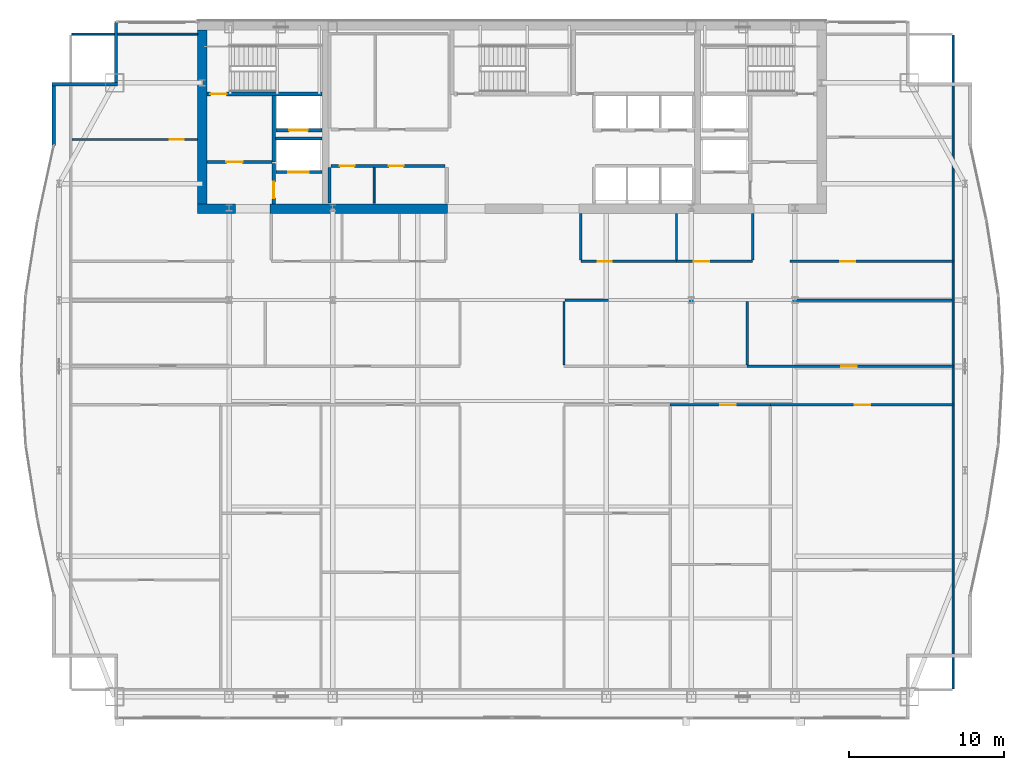
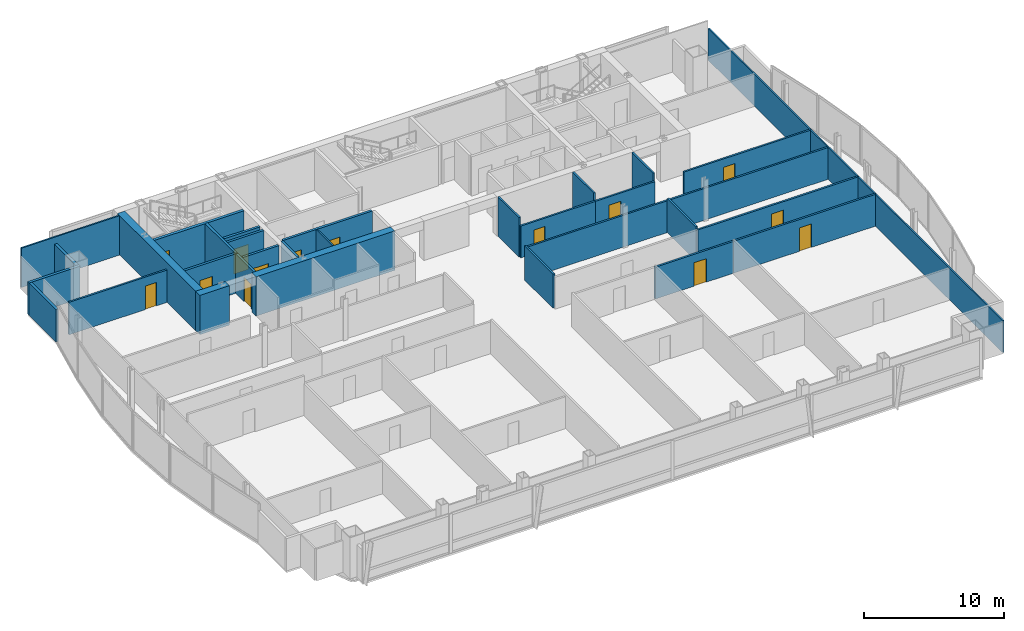
# One storey, part 26 of 30: 31 walls, 14 doors, 14 openings.
"""IFC4 building model written with IfcOpenShell, lengths in metres."""

from ifc_helpers import new_model, si_unit, direction, frame, frame_2d, origin, place, context, subcontext, project, spatial, rectangle, extrude, material, layer, layer_set, type_object, element, fill, save


model = new_model("IFC4")

# Units and contexts
model_context = context("Model", 3, precision=1e-05, world=origin(), true_north=direction((0.0, 1.0)))
body_context = subcontext(model_context, "Body", "Model", "MODEL_VIEW")
ifc_project = project(units=[si_unit("LENGTHUNIT", "METRE"), si_unit("AREAUNIT", "SQUARE_METRE"), si_unit("VOLUMEUNIT", "CUBIC_METRE"), si_unit("PLANEANGLEUNIT", "RADIAN"), si_unit("MASSUNIT", "GRAM", prefix="KILO")], contexts=[model_context])

# Site, building, storey
site_placement = place(None, origin())
site = spatial("IfcSite", under=ifc_project, at=site_placement, CompositionType="ELEMENT")
building_placement = place(site_placement, origin())
building = spatial("IfcBuilding", under=site, at=building_placement, Name="Khoronbel Lancet Exchange", CompositionType="ELEMENT")
storey_placement = place(building_placement, frame((0.0, 0.0, 217.39990234375)))
storey = spatial("IfcBuildingStorey", under=building, at=storey_placement, Name="L55", CompositionType="ELEMENT", Elevation=217.39990234375)

# Walls
ifc_material_1 = material(Name="Concrete C60/75", Category="concrete")
ifc_layer_1 = layer(ifc_material_1, 0.60009765625, Name="Concrete C60/75")
ifc_layer_set_1 = layer_set([ifc_layer_1], Name="Concrete C60/75")
wall_type_1 = type_object("IfcWallType", Name="WL-CW3", PredefinedType="SHEAR", material=ifc_layer_set_1)
wall_1_placement = place(storey_placement, frame((16.5, 41.89990234375, 0.0), z_axis=(0.0, 0.0, 1.0), x_axis=(0.0, 1.0, 0.0)))
element("IfcWall", 1, at=wall_1_placement, inside=storey, type_object=wall_type_1, Name="Level L55 rear core west shear wall", PredefinedType="SHEAR", context=body_context, shape_type="SweptSolid", body=[
    extrude(rectangle(XDim=11.2001953125, YDim=0.60009765625, at=frame_2d((5.60009765625, 0.0))), origin(), (0.0, 0.0, 1.0), 3.440185546875),
])
wall_2_placement = place(storey_placement, frame((18.64990234375, 41.60009765625, 0.0), z_axis=(0.0, 0.0, 1.0), x_axis=(-1.0, 0.0, 0.0)))
element("IfcWall", 2, at=wall_2_placement, inside=storey, type_object=wall_type_1, Name="Level L55 rear core south shear wall pier P1", PredefinedType="SHEAR", context=body_context, shape_type="SweptSolid", body=[
    extrude(rectangle(XDim=2.449951171875, YDim=0.60009765625, at=frame_2d((1.22509765625, 0.0))), origin(), (0.0, 0.0, 1.0), 3.440185546875),
])
wall_3_placement = place(storey_placement, frame((32.300048828125, 41.60009765625, 0.0), z_axis=(0.0, 0.0, 1.0), x_axis=(-1.0, 0.0, 0.0)))
element("IfcWall", 3, at=wall_3_placement, inside=storey, type_object=wall_type_1, Name="Level L55 rear core south shear wall pier P2", PredefinedType="SHEAR", context=body_context, shape_type="SweptSolid", body=[
    extrude(rectangle(XDim=11.449951171875, YDim=0.60009765625, at=frame_2d((5.72509765625, 0.0))), origin(), (0.0, 0.0, 1.0), 3.440185546875),
])
ifc_material_2 = material(Name="Precast concrete C40/50", Category="concrete")
ifc_layer_2 = layer(ifc_material_2, 0.25, Name="Precast concrete C40/50")
ifc_layer_set_2 = layer_set([ifc_layer_2], Name="Precast concrete C40/50")
wall_type_2 = type_object("IfcWallType", Name="WL-EXT250", PredefinedType="SOLIDWALL", material=ifc_layer_set_2)
wall_4_placement = place(storey_placement, frame((6.93994140625, 45.67041015625, 0.0), z_axis=(0.0, 0.0, 1.0), x_axis=(0.0, 1.0, 0.0)))
element("IfcWall", 4, at=wall_4_placement, inside=storey, type_object=wall_type_2, Name="Level L55 notched-corner limestone pier 10", PredefinedType="SOLIDWALL", context=body_context, shape_type="SweptSolid", body=[
    extrude(rectangle(XDim=3.82958984375, YDim=0.219970703125, at=frame_2d((1.914794921875, 0.0))), origin(), (0.0, 0.0, 1.0), 2.830078125),
])
wall_5_placement = place(storey_placement, frame((6.830078125, 49.610107421875, 0.0), z_axis=(0.0, 0.0, 1.0), x_axis=(1.0, 0.0, 0.0)))
element("IfcWall", 5, at=wall_5_placement, inside=storey, type_object=wall_type_2, Name="Level L55 notched-corner limestone pier 11", PredefinedType="SOLIDWALL", context=body_context, shape_type="SweptSolid", body=[
    extrude(rectangle(XDim=4.219970703125, YDim=0.219970703125, at=frame_2d((2.10986328125, 0.0))), origin(), (0.0, 0.0, 1.0), 2.830078125),
])
wall_6_placement = place(storey_placement, frame((10.93994140625, 49.719970703125, 0.0), z_axis=(0.0, 0.0, 1.0), x_axis=(0.0, 1.0, 0.0)))
element("IfcWall", 6, at=wall_6_placement, inside=storey, type_object=wall_type_2, Name="Level L55 notched-corner limestone pier 12", PredefinedType="SOLIDWALL", context=body_context, shape_type="SweptSolid", body=[
    extrude(rectangle(XDim=3.909912109375, YDim=0.219970703125, at=frame_2d((1.955078125, 0.0))), origin(), (0.0, 0.0, 1.0), 2.830078125),
])
ifc_material_3 = material(Name="Acoustic Metal-Stud & Mineral-Wool Gypsum Partition 120 mm", Category="gypsum")
ifc_layer_3 = layer(ifc_material_3, 0.1201171875, Name="Acoustic Metal-Stud & Mineral-Wool Gypsum Partition 120 mm")
ifc_layer_set_3 = layer_set([ifc_layer_3], Name="Acoustic Metal-Stud & Mineral-Wool Gypsum Partition 120 mm")
wall_type_3 = type_object("IfcWallType", Name="WL-PRT120", PredefinedType="PARTITIONING", material=ifc_layer_set_3)
for number, where, z_axis, x_axis, name in (
    (7, (40.8798828125, 38.280029296875, 0.0), (0.0, 0.0, 1.0), (0.0, 1.0, 0.0), "Level L55 interior partition PW-NP-0"),
    (8, (47.050048828125, 38.280029296875, 0.0), (0.0, 0.0, 1.0), (0.0, 1.0, 0.0), "Level L55 interior partition PW-NP-M"),
    (9, (51.949951171875, 38.280029296875, 0.0), (0.0, 0.0, 1.0), (0.0, 1.0, 0.0), "Level L55 interior partition PW-NP-1"),
):
    element("IfcWall", number, at=place(storey_placement, frame(where, z_axis=z_axis, x_axis=x_axis)), inside=storey, type_object=wall_type_3, Name=name, PredefinedType="PARTITIONING", context=body_context, shape_type="SweptSolid", body=[
        extrude(rectangle(XDim=3.02001953125, YDim=0.14990234375, at=frame_2d((1.510009765625, 0.0))), origin(), (0.0, 0.0, 1.0), 3.440185546875),
    ])

# Wall, opening, door
wall_7_placement = place(storey_placement, frame((8.094970703125, 46.050048828125, 0.0), z_axis=(0.0, 0.0, 1.0), x_axis=(1.0, 0.0, 0.0)))
wall_7 = element("IfcWall", 10, at=wall_7_placement, inside=storey, type_object=wall_type_3, Name="Level L55 interior partition PW-NW-H", PredefinedType="PARTITIONING", context=body_context, shape_type="SweptSolid", body=[
    extrude(rectangle(XDim=8.10498046875, YDim=0.14990234375, at=frame_2d((4.052490234375, 0.0))), origin(), (0.0, 0.0, 1.0), 2.830078125),
])
opening_1_placement = place(wall_7_placement, frame((6.320068359375, 0.0, 0.0)))
opening_1 = element("IfcOpeningElement", 11, at=opening_1_placement, cuts=wall_7, Name="Opening D5", PredefinedType="OPENING", context=body_context, shape_type="SweptSolid", body=[
    extrude(rectangle(XDim=0.89990234375, YDim=2.050048828125, at=frame_2d((0.449951171875, 1.02490234375))), frame((0.0, 0.0849609375, 0.0), z_axis=(0.0, -1.0, 0.0), x_axis=(1.0, 0.0, 0.0)), (0.0, 0.0, 1.0), 0.169921875),
])
ifc_material_4 = material(Name="Acoustic Timber Pantry & Support Door", Category="wood")
door_type_1 = type_object("IfcDoorType", Name="DR-D5", OperationType="NOTDEFINED", PredefinedType="DOOR", material=ifc_material_4)
door_1_placement = place(opening_1_placement, origin())
door_1 = element("IfcDoor", 12, at=door_1_placement, inside=storey, type_object=door_type_1, Name="NW north room door L55-1", OperationType="SINGLE_SWING_LEFT", OverallHeight=2.050048828125, OverallWidth=0.89990234375, PredefinedType="DOOR", context=body_context, shape_type="SweptSolid", body=[
    extrude(rectangle(XDim=0.89990234375, YDim=2.050048828125, at=frame_2d((0.449951171875, 1.02490234375))), frame((0.0, 0.02490234375, 0.0), z_axis=(0.0, -1.0, 0.0), x_axis=(1.0, 0.0, 0.0)), (0.0, 0.0, 1.0), 0.050048828125),
])
fill(opening_1, door_1)

# Walls
wall_8_placement = place(storey_placement, frame((64.8701171875, 10.6650390625, 0.0), z_axis=(0.0, 0.0, 1.0), x_axis=(0.0, 1.0, 0.0)))
element("IfcWall", 13, at=wall_8_placement, inside=storey, type_object=wall_type_3, Name="Level L55 interior partition PW-LIN-E", PredefinedType="PARTITIONING", context=body_context, shape_type="SweptSolid", body=[
    extrude(rectangle(XDim=42.10986328125, YDim=0.1201171875, at=frame_2d((21.054931640625, 0.0))), origin(), (0.0, 0.0, 1.0), 2.780029296875),
])
wall_9_placement = place(storey_placement, frame((8.094970703125, 52.840087890625, 0.0), z_axis=(0.0, 0.0, 1.0), x_axis=(1.0, 0.0, 0.0)))
element("IfcWall", 14, at=wall_9_placement, inside=storey, type_object=wall_type_3, Name="Level L55 interior partition PW-LIN-NW", PredefinedType="PARTITIONING", context=body_context, shape_type="SweptSolid", body=[
    extrude(rectangle(XDim=8.10498046875, YDim=0.1201171875, at=frame_2d((4.052490234375, 0.0))), origin(), (0.0, 0.0, 1.0), 3.440185546875),
])
ifc_material_5 = material(Name="Fire-Rated Metal-Stud & Mineral-Wool Gypsum Partition 120 mm", Category="gypsum")
ifc_layer_4 = layer(ifc_material_5, 0.1201171875, Name="Fire-Rated Metal-Stud & Mineral-Wool Gypsum Partition 120 mm")
ifc_layer_set_4 = layer_set([ifc_layer_4], Name="Fire-Rated Metal-Stud & Mineral-Wool Gypsum Partition 120 mm")
wall_type_4 = type_object("IfcWallType", Name="WL-PRT120F", PredefinedType="PARTITIONING", material=ifc_layer_set_4)
wall_10_placement = place(storey_placement, frame((27.569091796875, 41.949951171875, 0.0), z_axis=(0.0, 0.0, 1.0), x_axis=(0.0, 1.0, 0.0)))
element("IfcWall", 15, at=wall_10_placement, inside=storey, type_object=wall_type_4, Name="Level L55 interior partition CW-PM-RS1", PredefinedType="PARTITIONING", context=body_context, shape_type="SweptSolid", body=[
    extrude(rectangle(XDim=2.295166015625, YDim=0.1201171875, at=frame_2d((1.1474609375, 0.0))), origin(), (0.0, 0.0, 1.0), 3.440185546875),
])

# Wall, opening, door
ifc_material_6 = material(Name="Fire-Rated Twin-Stud Acoustic Gypsum Partition 150 mm", Category="gypsum")
ifc_layer_5 = layer(ifc_material_6, 0.14990234375, Name="Fire-Rated Twin-Stud Acoustic Gypsum Partition 150 mm")
ifc_layer_set_5 = layer_set([ifc_layer_5], Name="Fire-Rated Twin-Stud Acoustic Gypsum Partition 150 mm")
wall_type_5 = type_object("IfcWallType", Name="WL-PRT150C", PredefinedType="PARTITIONING", material=ifc_layer_set_5)
wall_11_placement = place(storey_placement, frame((40.8798828125, 38.199951171875, 0.0), z_axis=(0.0, 0.0, 1.0), x_axis=(1.0, 0.0, 0.0)))
wall_11 = element("IfcWall", 16, at=wall_11_placement, inside=storey, type_object=wall_type_5, Name="Level L55 interior partition PW-NP-S1", PredefinedType="PARTITIONING", context=body_context, shape_type="SweptSolid", body=[
    extrude(rectangle(XDim=6.170166015625, YDim=0.14990234375, at=frame_2d((3.0849609375, 0.0))), origin(), (0.0, 0.0, 1.0), 2.780029296875),
])
opening_2_placement = place(wall_11_placement, frame((1.10009765625, 0.0, 0.0)))
opening_2 = element("IfcOpeningElement", 17, at=opening_2_placement, cuts=wall_11, Name="Opening D5", PredefinedType="OPENING", context=body_context, shape_type="SweptSolid", body=[
    extrude(rectangle(XDim=0.89990234375, YDim=2.050048828125, at=frame_2d((0.449951171875, 1.02490234375))), frame((0.0, 0.0849609375, 0.0), z_axis=(0.0, -1.0, 0.0), x_axis=(1.0, 0.0, 0.0)), (0.0, 0.0, 1.0), 0.169921875),
])
door_2_placement = place(opening_2_placement, origin())
door_2 = element("IfcDoor", 18, at=door_2_placement, inside=storey, type_object=door_type_1, Name="Floor refreshment pantry door L55-1", OperationType="SINGLE_SWING_LEFT", OverallHeight=2.050048828125, OverallWidth=0.89990234375, PredefinedType="DOOR", context=body_context, shape_type="SweptSolid", body=[
    extrude(rectangle(XDim=0.89990234375, YDim=2.050048828125, at=frame_2d((0.449951171875, 1.02490234375))), frame((0.0, 0.02490234375, 0.0), z_axis=(0.0, -1.0, 0.0), x_axis=(1.0, 0.0, 0.0)), (0.0, 0.0, 1.0), 0.050048828125),
])
fill(opening_2, door_2)

wall_12_placement = place(storey_placement, frame((47.050048828125, 38.199951171875, 0.0), z_axis=(0.0, 0.0, 1.0), x_axis=(1.0, 0.0, 0.0)))
wall_12 = element("IfcWall", 19, at=wall_12_placement, inside=storey, type_object=wall_type_5, Name="Level L55 interior partition PW-NP-S2", PredefinedType="PARTITIONING", context=body_context, shape_type="SweptSolid", body=[
    extrude(rectangle(XDim=4.89990234375, YDim=0.14990234375, at=frame_2d((2.449951171875, 0.0))), origin(), (0.0, 0.0, 1.0), 2.780029296875),
])
opening_3_placement = place(wall_12_placement, frame((1.10009765625, 0.0, 0.0)))
opening_3 = element("IfcOpeningElement", 20, at=opening_3_placement, cuts=wall_12, Name="Opening D2", PredefinedType="OPENING", context=body_context, shape_type="SweptSolid", body=[
    extrude(rectangle(XDim=1.0, YDim=2.050048828125, at=frame_2d((0.5, 1.02490234375))), frame((0.0, 0.0849609375, 0.0), z_axis=(0.0, -1.0, 0.0), x_axis=(1.0, 0.0, 0.0)), (0.0, 0.0, 1.0), 0.169921875),
])
ifc_material_7 = material(Name="Acoustic Veneered Timber & Bronze Frame Door", Category="wood")
door_type_2 = type_object("IfcDoorType", Name="DR-D2", OperationType="NOTDEFINED", PredefinedType="DOOR", material=ifc_material_7)
door_3_placement = place(opening_3_placement, origin())
door_3 = element("IfcDoor", 21, at=door_3_placement, inside=storey, type_object=door_type_2, Name="Floor store door L55-1", OperationType="SINGLE_SWING_RIGHT", OverallHeight=2.050048828125, OverallWidth=1.0, PredefinedType="DOOR", context=body_context, shape_type="SweptSolid", body=[
    extrude(rectangle(XDim=1.0, YDim=2.050048828125, at=frame_2d((0.5, 1.02490234375))), frame((0.0, 0.02490234375, 0.0), z_axis=(0.0, -1.0, 0.0), x_axis=(1.0, 0.0, 0.0)), (0.0, 0.0, 1.0), 0.050048828125),
])
fill(opening_3, door_3)

wall_13_placement = place(storey_placement, frame((54.35009765625, 38.199951171875, 0.0), z_axis=(0.0, 0.0, 1.0), x_axis=(1.0, 0.0, 0.0)))
wall_13 = element("IfcWall", 22, at=wall_13_placement, inside=storey, type_object=wall_type_5, Name="Level L55 interior partition PW-NE-S", PredefinedType="PARTITIONING", context=body_context, shape_type="SweptSolid", body=[
    extrude(rectangle(XDim=10.52001953125, YDim=0.14990234375, at=frame_2d((5.260009765625, 0.0))), origin(), (0.0, 0.0, 1.0), 2.780029296875),
])
opening_4_placement = place(wall_13_placement, frame((3.25, 0.0, 0.0)))
opening_4 = element("IfcOpeningElement", 23, at=opening_4_placement, cuts=wall_13, Name="Opening D1", PredefinedType="OPENING", context=body_context, shape_type="SweptSolid", body=[
    extrude(rectangle(XDim=0.949951171875, YDim=2.050048828125, at=frame_2d((0.47509765625, 1.02490234375))), frame((0.0, 0.0849609375, 0.0), z_axis=(0.0, -1.0, 0.0), x_axis=(1.0, 0.0, 0.0)), (0.0, 0.0, 1.0), 0.169921875),
])
door_type_3 = type_object("IfcDoorType", Name="DR-D1", OperationType="NOTDEFINED", PredefinedType="DOOR", material=ifc_material_7)
door_4_placement = place(opening_4_placement, origin())
door_4 = element("IfcDoor", 24, at=door_4_placement, inside=storey, type_object=door_type_3, Name="NE corner room door L55-1", OperationType="SINGLE_SWING_RIGHT", OverallHeight=2.050048828125, OverallWidth=0.949951171875, PredefinedType="DOOR", context=body_context, shape_type="SweptSolid", body=[
    extrude(rectangle(XDim=0.949951171875, YDim=2.050048828125, at=frame_2d((0.47509765625, 1.02490234375))), frame((0.0, 0.02490234375, 0.0), z_axis=(0.0, -1.0, 0.0), x_axis=(1.0, 0.0, 0.0)), (0.0, 0.0, 1.0), 0.050048828125),
])
fill(opening_4, door_4)

# Walls
wall_14_placement = place(storey_placement, frame((39.800048828125, 31.534912109375, 0.0), z_axis=(0.0, 0.0, 1.0), x_axis=(0.0, 1.0, 0.0)))
element("IfcWall", 25, at=wall_14_placement, inside=storey, type_object=wall_type_5, Name="Level L55 interior partition PW-Z3-CE2", PredefinedType="PARTITIONING", context=body_context, shape_type="SweptSolid", body=[
    extrude(rectangle(XDim=4.085205078125, YDim=0.14990234375, at=frame_2d((2.04248046875, 0.0))), origin(), (0.0, 0.0, 1.0), 2.97998046875),
])
wall_15_placement = place(storey_placement, frame((39.8798828125, 35.699951171875, 0.0), z_axis=(0.0, 0.0, 1.0), x_axis=(1.0, 0.0, 0.0)))
element("IfcWall", 26, at=wall_15_placement, inside=storey, type_object=wall_type_5, Name="Level L55 interior partition PW-Z3-EN", PredefinedType="PARTITIONING", context=body_context, shape_type="SweptSolid", body=[
    extrude(rectangle(XDim=24.925048828125, YDim=0.14990234375, at=frame_2d((12.46240234375, 0.0))), origin(), (0.0, 0.0, 1.0), 2.780029296875),
])
wall_16_placement = place(storey_placement, frame((51.59765625, 31.534912109375, 0.0), z_axis=(0.0, 0.0, 1.0), x_axis=(0.0, 1.0, 0.0)))
element("IfcWall", 27, at=wall_16_placement, inside=storey, type_object=wall_type_5, Name="Level L55 interior partition PW-Z3NE-V1", PredefinedType="PARTITIONING", context=body_context, shape_type="SweptSolid", body=[
    extrude(rectangle(XDim=4.085205078125, YDim=0.14990234375, at=frame_2d((2.04248046875, 0.0))), origin(), (0.0, 0.0, 1.0), 2.97998046875),
])

# Wall, opening, door
ifc_material_8 = material(Name="Fire-Rated Twin-Stud Acoustic Gypsum Partition 160 mm", Category="gypsum")
ifc_layer_6 = layer(ifc_material_8, 0.159912109375, Name="Fire-Rated Twin-Stud Acoustic Gypsum Partition 160 mm")
ifc_layer_set_6 = layer_set([ifc_layer_6], Name="Fire-Rated Twin-Stud Acoustic Gypsum Partition 160 mm")
wall_type_6 = type_object("IfcWallType", Name="WL-PRT160C", PredefinedType="PARTITIONING", material=ifc_layer_set_6)
wall_17_placement = place(storey_placement, frame((46.63720703125, 28.949951171875, 0.0), z_axis=(0.0, 0.0, 1.0), x_axis=(1.0, 0.0, 0.0)))
wall_17 = element("IfcWall", 28, at=wall_17_placement, inside=storey, type_object=wall_type_6, Name="Level L55 interior partition PW-Z3SE-COR2", PredefinedType="PARTITIONING", context=body_context, shape_type="SweptSolid", body=[
    extrude(rectangle(XDim=6.45751953125, YDim=0.159912109375, at=frame_2d((3.228759765625, 0.0))), origin(), (0.0, 0.0, 1.0), 2.780029296875),
])
opening_5_placement = place(wall_17_placement, frame((3.212158203125, 0.0, 0.0)))
opening_5 = element("IfcOpeningElement", 29, at=opening_5_placement, cuts=wall_17, Name="Opening D2", PredefinedType="OPENING", context=body_context, shape_type="SweptSolid", body=[
    extrude(rectangle(XDim=1.0, YDim=2.050048828125, at=frame_2d((0.5, 1.02490234375))), frame((0.0, 0.08984375, 0.0), z_axis=(0.0, -1.0, 0.0), x_axis=(1.0, 0.0, 0.0)), (0.0, 0.0, 1.0), 0.179931640625),
])
door_5_placement = place(opening_5_placement, origin())
door_5 = element("IfcDoor", 30, at=door_5_placement, inside=storey, type_object=door_type_2, Name="Z3SE bay 2 door L55-1", OperationType="SINGLE_SWING_LEFT", OverallHeight=2.050048828125, OverallWidth=1.0, PredefinedType="DOOR", context=body_context, shape_type="SweptSolid", body=[
    extrude(rectangle(XDim=1.0, YDim=2.050048828125, at=frame_2d((0.5, 1.02490234375))), frame((0.0, 0.02490234375, 0.0), z_axis=(0.0, -1.0, 0.0), x_axis=(1.0, 0.0, 0.0)), (0.0, 0.0, 1.0), 0.050048828125),
])
fill(opening_5, door_5)

wall_18_placement = place(storey_placement, frame((53.0947265625, 28.949951171875, 0.0), z_axis=(0.0, 0.0, 1.0), x_axis=(1.0, 0.0, 0.0)))
wall_18 = element("IfcWall", 31, at=wall_18_placement, inside=storey, type_object=wall_type_6, Name="Level L55 interior partition PW-Z3SE-COR3", PredefinedType="PARTITIONING", context=body_context, shape_type="SweptSolid", body=[
    extrude(rectangle(XDim=11.775390625, YDim=0.159912109375, at=frame_2d((5.8876953125, 0.0))), origin(), (0.0, 0.0, 1.0), 2.780029296875),
])
opening_6_placement = place(wall_18_placement, frame((5.445556640625, 0.0, 0.0)))
opening_6 = element("IfcOpeningElement", 32, at=opening_6_placement, cuts=wall_18, Name="Opening D2", PredefinedType="OPENING", context=body_context, shape_type="SweptSolid", body=[
    extrude(rectangle(XDim=1.0, YDim=2.050048828125, at=frame_2d((0.5, 1.02490234375))), frame((0.0, 0.08984375, 0.0), z_axis=(0.0, -1.0, 0.0), x_axis=(1.0, 0.0, 0.0)), (0.0, 0.0, 1.0), 0.179931640625),
])
door_6_placement = place(opening_6_placement, origin())
door_6 = element("IfcDoor", 33, at=door_6_placement, inside=storey, type_object=door_type_2, Name="Z3SE bay 3 door L55-1", OperationType="SINGLE_SWING_LEFT", OverallHeight=2.050048828125, OverallWidth=1.0, PredefinedType="DOOR", context=body_context, shape_type="SweptSolid", body=[
    extrude(rectangle(XDim=1.0, YDim=2.050048828125, at=frame_2d((0.5, 1.02490234375))), frame((0.0, 0.02490234375, 0.0), z_axis=(0.0, -1.0, 0.0), x_axis=(1.0, 0.0, 0.0)), (0.0, 0.0, 1.0), 0.050048828125),
])
fill(opening_6, door_6)

wall_19_placement = place(storey_placement, frame((51.59765625, 31.449951171875, 0.0), z_axis=(0.0, 0.0, 1.0), x_axis=(1.0, 0.0, 0.0)))
wall_19 = element("IfcWall", 34, at=wall_19_placement, inside=storey, type_object=wall_type_6, Name="Level L55 interior partition PW-Z3NE-COR2", PredefinedType="PARTITIONING", context=body_context, shape_type="SweptSolid", body=[
    extrude(rectangle(XDim=13.2724609375, YDim=0.159912109375, at=frame_2d((6.63623046875, 0.0))), origin(), (0.0, 0.0, 1.0), 2.780029296875),
])
opening_7_placement = place(wall_19_placement, frame((6.074462890625, 0.0, 0.0)))
opening_7 = element("IfcOpeningElement", 35, at=opening_7_placement, cuts=wall_19, Name="Opening D2", PredefinedType="OPENING", context=body_context, shape_type="SweptSolid", body=[
    extrude(rectangle(XDim=1.0, YDim=2.050048828125, at=frame_2d((0.5, 1.02490234375))), frame((0.0, 0.08984375, 0.0), z_axis=(0.0, -1.0, 0.0), x_axis=(1.0, 0.0, 0.0)), (0.0, 0.0, 1.0), 0.179931640625),
])
door_7_placement = place(opening_7_placement, origin())
door_7 = element("IfcDoor", 36, at=door_7_placement, inside=storey, type_object=door_type_2, Name="Z3NE bay 2 door L55-1", OperationType="SINGLE_SWING_RIGHT", OverallHeight=2.050048828125, OverallWidth=1.0, PredefinedType="DOOR", context=body_context, shape_type="SweptSolid", body=[
    extrude(rectangle(XDim=1.0, YDim=2.050048828125, at=frame_2d((0.5, 1.02490234375))), frame((0.0, 0.02490234375, 0.0), z_axis=(0.0, -1.0, 0.0), x_axis=(1.0, 0.0, 0.0)), (0.0, 0.0, 1.0), 0.050048828125),
])
fill(opening_7, door_7)

ifc_material_9 = material(Name="Autoclaved Aerated Concrete Blockwork 200 mm", Category="masonry")
ifc_layer_7 = layer(ifc_material_9, 0.199951171875, Name="Autoclaved Aerated Concrete Blockwork 200 mm")
ifc_layer_set_7 = layer_set([ifc_layer_7], Name="Autoclaved Aerated Concrete Blockwork 200 mm")
wall_type_7 = type_object("IfcWallType", Name="WL-PRT200", PredefinedType="PARTITIONING", material=ifc_layer_set_7)
wall_20_placement = place(storey_placement, frame((24.2099609375, 43.949951171875, 0.0), z_axis=(0.0, 0.0, 1.0), x_axis=(-1.0, 0.0, 0.0)))
wall_20 = element("IfcWall", 37, at=wall_20_placement, inside=storey, type_object=wall_type_7, Name="Level L55 elevator hoistway landing front wall SVLW", PredefinedType="PARTITIONING", context=body_context, shape_type="SweptSolid", body=[
    extrude(rectangle(XDim=2.969970703125, YDim=0.199951171875, at=frame_2d((1.48486328125, 0.0))), origin(), (0.0, 0.0, 1.0), 3.440185546875),
])
opening_8_placement = place(wall_20_placement, frame((0.860107421875, 0.0, 0.0)))
opening_8 = element("IfcOpeningElement", 38, at=opening_8_placement, cuts=wall_20, Name="Opening LD-SVL1", PredefinedType="OPENING", context=body_context, shape_type="SweptSolid", body=[
    extrude(rectangle(XDim=1.300048828125, YDim=2.179931640625, at=frame_2d((0.64990234375, 1.08984375))), frame((0.0, 0.10986328125, 0.0), z_axis=(0.0, -1.0, 0.0), x_axis=(1.0, 0.0, 0.0)), (0.0, 0.0, 1.0), 0.219970703125),
])
ifc_material_10 = material(Name="Heavy-Duty Bi-Parting Goods Lift Landing Door", Category="steel")
door_type_4 = type_object("IfcDoorType", Name="DR-LD-SVL", OperationType="NOTDEFINED", PredefinedType="DOOR", material=ifc_material_10)
door_8_placement = place(opening_8_placement, origin())
door_8 = element("IfcDoor", 39, at=door_8_placement, inside=storey, type_object=door_type_4, Name="Elevator landing sliding door LD-SVL1 L55", OperationType="SLIDING_TO_LEFT", OverallHeight=2.179931640625, OverallWidth=1.300048828125, PredefinedType="DOOR", context=body_context, shape_type="SweptSolid", body=[
    extrude(rectangle(XDim=1.300048828125, YDim=2.179931640625, at=frame_2d((0.64990234375, 1.08984375))), frame((0.0, 0.02490234375, 0.0), z_axis=(0.0, -1.0, 0.0), x_axis=(1.0, 0.0, 0.0)), (0.0, 0.0, 1.0), 0.050048828125),
])
fill(opening_8, door_8)

wall_21_placement = place(storey_placement, frame((24.2099609375, 46.64990234375, 0.0), z_axis=(0.0, 0.0, 1.0), x_axis=(-1.0, 0.0, 0.0)))
wall_21 = element("IfcWall", 40, at=wall_21_placement, inside=storey, type_object=wall_type_7, Name="Level L55 elevator hoistway landing front wall FFLW", PredefinedType="PARTITIONING", context=body_context, shape_type="SweptSolid", body=[
    extrude(rectangle(XDim=2.969970703125, YDim=0.199951171875, at=frame_2d((1.48486328125, 0.0))), origin(), (0.0, 0.0, 1.0), 3.440185546875),
])
opening_9_placement = place(wall_21_placement, frame((0.909912109375, 0.0, 0.0)))
opening_9 = element("IfcOpeningElement", 41, at=opening_9_placement, cuts=wall_21, Name="Opening LD-FFL1", PredefinedType="OPENING", context=body_context, shape_type="SweptSolid", body=[
    extrude(rectangle(XDim=1.199951171875, YDim=2.179931640625, at=frame_2d((0.60009765625, 1.08984375))), frame((0.0, 0.10986328125, 0.0), z_axis=(0.0, -1.0, 0.0), x_axis=(1.0, 0.0, 0.0)), (0.0, 0.0, 1.0), 0.219970703125),
])
ifc_material_11 = material(Name="Fire-Rated Stainless Bi-Parting Firefighting Lift Door", Category="steel")
door_type_5 = type_object("IfcDoorType", Name="DR-LD-FFL", OperationType="NOTDEFINED", PredefinedType="DOOR", material=ifc_material_11)
door_9_placement = place(opening_9_placement, origin())
door_9 = element("IfcDoor", 42, at=door_9_placement, inside=storey, type_object=door_type_5, Name="Elevator landing sliding door LD-FFL1 L55", OperationType="SLIDING_TO_LEFT", OverallHeight=2.179931640625, OverallWidth=1.199951171875, PredefinedType="DOOR", context=body_context, shape_type="SweptSolid", body=[
    extrude(rectangle(XDim=1.199951171875, YDim=2.179931640625, at=frame_2d((0.60009765625, 1.08984375))), frame((0.0, 0.02490234375, 0.0), z_axis=(0.0, -1.0, 0.0), x_axis=(1.0, 0.0, 0.0)), (0.0, 0.0, 1.0), 0.050048828125),
])
fill(opening_9, door_9)

# Wall
wall_22_placement = place(storey_placement, frame((21.10009765625, 44.60009765625, 0.0), z_axis=(0.0, 0.0, 1.0), x_axis=(0.0, 1.0, 0.0)))
element("IfcWall", 43, at=wall_22_placement, inside=storey, type_object=wall_type_7, Name="Level L55 interior partition CW-FFLW-E", PredefinedType="PARTITIONING", context=body_context, shape_type="SweptSolid", body=[
    extrude(rectangle(XDim=4.2998046875, YDim=0.199951171875, at=frame_2d((2.14990234375, 0.0))), origin(), (0.0, 0.0, 1.0), 3.440185546875),
])

# Wall, opening, door
wall_23_placement = place(storey_placement, frame((16.800048828125, 44.60009765625, 0.0), z_axis=(0.0, 0.0, 1.0), x_axis=(1.0, 0.0, 0.0)))
wall_23 = element("IfcWall", 44, at=wall_23_placement, inside=storey, type_object=wall_type_7, Name="Level L55 interior partition CW-FFLW-S", PredefinedType="PARTITIONING", context=body_context, shape_type="SweptSolid", body=[
    extrude(rectangle(XDim=4.199951171875, YDim=0.199951171875, at=frame_2d((2.10009765625, 0.0))), origin(), (0.0, 0.0, 1.0), 3.440185546875),
])
opening_10_placement = place(wall_23_placement, frame((1.25, 0.0, 0.0)))
opening_10 = element("IfcOpeningElement", 45, at=opening_10_placement, cuts=wall_23, Name="Opening FD1", PredefinedType="OPENING", context=body_context, shape_type="SweptSolid", body=[
    extrude(rectangle(XDim=1.050048828125, YDim=2.14990234375, at=frame_2d((0.52490234375, 1.074951171875))), frame((0.0, 0.10986328125, 0.0), z_axis=(0.0, -1.0, 0.0), x_axis=(1.0, 0.0, 0.0)), (0.0, 0.0, 1.0), 0.219970703125),
])
ifc_material_12 = material(Name="Fire-Rated Painted Steel Door Assembly", Category="steel")
door_type_6 = type_object("IfcDoorType", Name="DR-FD1", OperationType="NOTDEFINED", PredefinedType="DOOR", material=ifc_material_12)
door_10_placement = place(opening_10_placement, origin())
door_10 = element("IfcDoor", 46, at=door_10_placement, inside=storey, type_object=door_type_6, Name="West firefighting lobby FD90S door L55-1", OperationType="SINGLE_SWING_LEFT", OverallHeight=2.14990234375, OverallWidth=1.050048828125, PredefinedType="DOOR", context=body_context, shape_type="SweptSolid", body=[
    extrude(rectangle(XDim=1.050048828125, YDim=2.14990234375, at=frame_2d((0.52490234375, 1.074951171875))), frame((0.0, 0.02490234375, 0.0), z_axis=(0.0, -1.0, 0.0), x_axis=(1.0, 0.0, 0.0)), (0.0, 0.0, 1.0), 0.050048828125),
])
fill(opening_10, door_10)

# Wall
wall_24_placement = place(storey_placement, frame((21.199951171875, 46.1201171875, 0.0), z_axis=(0.0, 0.0, 1.0), x_axis=(1.0, 0.0, 0.0)))
element("IfcWall", 47, at=wall_24_placement, inside=storey, type_object=wall_type_7, Name="Level L55 interior partition CW-FFL1-S", PredefinedType="PARTITIONING", context=body_context, shape_type="SweptSolid", body=[
    extrude(rectangle(XDim=3.02001953125, YDim=0.199951171875, at=frame_2d((1.510009765625, 0.0))), origin(), (0.0, 0.0, 1.0), 3.440185546875),
])

# Wall, opening, door
wall_25_placement = place(storey_placement, frame((21.10009765625, 41.89990234375, 0.0), z_axis=(0.0, 0.0, 1.0), x_axis=(0.0, 1.0, 0.0)))
wall_25 = element("IfcWall", 48, at=wall_25_placement, inside=storey, type_object=wall_type_7, Name="Level L55 interior partition CW-SVLW-W", PredefinedType="PARTITIONING", context=body_context, shape_type="SweptSolid", body=[
    extrude(rectangle(XDim=2.59521484375, YDim=0.199951171875, at=frame_2d((1.297607421875, 0.0))), origin(), (0.0, 0.0, 1.0), 3.440185546875),
])
opening_11_placement = place(wall_25_placement, frame((0.3798828125, 0.0, 0.0)))
opening_11 = element("IfcOpeningElement", 49, at=opening_11_placement, cuts=wall_25, Name="Opening FD1", PredefinedType="OPENING", context=body_context, shape_type="SweptSolid", body=[
    extrude(rectangle(XDim=1.050048828125, YDim=2.14990234375, at=frame_2d((0.52490234375, 1.074951171875))), frame((0.0, 0.10986328125, 0.0), z_axis=(0.0, -1.0, 0.0), x_axis=(1.0, 0.0, 0.0)), (0.0, 0.0, 1.0), 0.219970703125),
])
door_11_placement = place(opening_11_placement, origin())
door_11 = element("IfcDoor", 50, at=door_11_placement, inside=storey, type_object=door_type_6, Name="West service lift lobby door L55-1", OperationType="SINGLE_SWING_RIGHT", OverallHeight=2.14990234375, OverallWidth=1.050048828125, PredefinedType="DOOR", context=body_context, shape_type="SweptSolid", body=[
    extrude(rectangle(XDim=1.050048828125, YDim=2.14990234375, at=frame_2d((0.52490234375, 1.074951171875))), frame((0.0, 0.02490234375, 0.0), z_axis=(0.0, -1.0, 0.0), x_axis=(1.0, 0.0, 0.0)), (0.0, 0.0, 1.0), 0.050048828125),
])
fill(opening_11, door_11)

# Wall
wall_26_placement = place(storey_placement, frame((24.699951171875, 41.949951171875, 0.0), z_axis=(0.0, 0.0, 1.0), x_axis=(0.0, 1.0, 0.0)))
element("IfcWall", 51, at=wall_26_placement, inside=storey, type_object=wall_type_7, Name="Level L55 interior partition CW-PM-RW", PredefinedType="PARTITIONING", context=body_context, shape_type="SweptSolid", body=[
    extrude(rectangle(XDim=2.295166015625, YDim=0.199951171875, at=frame_2d((1.1474609375, 0.0))), origin(), (0.0, 0.0, 1.0), 3.440185546875),
])

# Wall, openings, doors
wall_27_placement = place(storey_placement, frame((24.804931640625, 44.35009765625, 0.0), z_axis=(0.0, 0.0, 1.0), x_axis=(1.0, 0.0, 0.0)))
wall_27 = element("IfcWall", 52, at=wall_27_placement, inside=storey, type_object=wall_type_7, Name="Level L55 interior partition CW-PM-RF", PredefinedType="PARTITIONING", context=body_context, shape_type="SweptSolid", body=[
    extrude(rectangle(XDim=7.340087890625, YDim=0.199951171875, at=frame_2d((3.669921875, 0.0))), origin(), (0.0, 0.0, 1.0), 3.440185546875),
])
opening_12_placement = place(wall_27_placement, frame((0.550048828125, 0.0, 0.0)))
opening_12 = element("IfcOpeningElement", 53, at=opening_12_placement, cuts=wall_27, Name="Opening FD3", PredefinedType="OPENING", context=body_context, shape_type="SweptSolid", body=[
    extrude(rectangle(XDim=0.949951171875, YDim=2.10009765625, at=frame_2d((0.47509765625, 1.050048828125))), frame((0.0, 0.10986328125, 0.0), z_axis=(0.0, -1.0, 0.0), x_axis=(1.0, 0.0, 0.0)), (0.0, 0.0, 1.0), 0.219970703125),
])
opening_13_placement = place(wall_27_placement, frame((3.718994140625, 0.0, 0.0)))
opening_13 = element("IfcOpeningElement", 54, at=opening_13_placement, cuts=wall_27, Name="Opening FD3", PredefinedType="OPENING", context=body_context, shape_type="SweptSolid", body=[
    extrude(rectangle(XDim=0.949951171875, YDim=2.10009765625, at=frame_2d((0.47509765625, 1.050048828125))), frame((0.0, 0.10986328125, 0.0), z_axis=(0.0, -1.0, 0.0), x_axis=(1.0, 0.0, 0.0)), (0.0, 0.0, 1.0), 0.219970703125),
])
ifc_material_13 = material(Name="Fire-Rated Steel Plant & Riser Door Assembly", Category="steel")
door_type_7 = type_object("IfcDoorType", Name="DR-FD3", OperationType="NOTDEFINED", PredefinedType="DOOR", material=ifc_material_13)
door_12_placement = place(opening_12_placement, origin())
door_12 = element("IfcDoor", 55, at=door_12_placement, inside=storey, type_object=door_type_7, Name="Reclaimed PM A door L55-1", OperationType="SINGLE_SWING_LEFT", OverallHeight=2.10009765625, OverallWidth=0.949951171875, PredefinedType="DOOR", context=body_context, shape_type="SweptSolid", body=[
    extrude(rectangle(XDim=0.949951171875, YDim=2.10009765625, at=frame_2d((0.47509765625, 1.050048828125))), frame((0.0, 0.02490234375, 0.0), z_axis=(0.0, -1.0, 0.0), x_axis=(1.0, 0.0, 0.0)), (0.0, 0.0, 1.0), 0.050048828125),
])
fill(opening_12, door_12)
door_13_placement = place(opening_13_placement, origin())
door_13 = element("IfcDoor", 56, at=door_13_placement, inside=storey, type_object=door_type_7, Name="Reclaimed PM B door L55-2", OperationType="SINGLE_SWING_RIGHT", OverallHeight=2.10009765625, OverallWidth=0.949951171875, PredefinedType="DOOR", context=body_context, shape_type="SweptSolid", body=[
    extrude(rectangle(XDim=0.949951171875, YDim=2.10009765625, at=frame_2d((0.47509765625, 1.050048828125))), frame((0.0, 0.02490234375, 0.0), z_axis=(0.0, -1.0, 0.0), x_axis=(1.0, 0.0, 0.0)), (0.0, 0.0, 1.0), 0.050048828125),
])
fill(opening_13, door_13)

# Wall, opening, door
ifc_layer_8 = layer(ifc_material_1, 0.260009765625, Name="Concrete C60/75")
ifc_layer_set_8 = layer_set([ifc_layer_8], Name="Concrete C60/75")
wall_type_8 = type_object("IfcWallType", Name="WL-SW3", PredefinedType="SHEAR", material=ifc_layer_set_8)
wall_28_placement = place(storey_placement, frame((16.800048828125, 48.97998046875, 0.0), z_axis=(0.0, 0.0, 1.0), x_axis=(1.0, 0.0, 0.0)))
wall_28 = element("IfcWall", 57, at=wall_28_placement, inside=storey, type_object=wall_type_8, Name="Level L55 west stairwell structural south wall", PredefinedType="SHEAR", context=body_context, shape_type="SweptSolid", body=[
    extrude(rectangle(XDim=7.419921875, YDim=0.239990234375, at=frame_2d((3.7099609375, 0.0))), origin(), (0.0, 0.0, 1.0), 3.440185546875),
])
opening_14_placement = place(wall_28_placement, frame((0.219970703125, 0.0, 0.0)))
opening_14 = element("IfcOpeningElement", 58, at=opening_14_placement, cuts=wall_28, Name="Opening SD1", PredefinedType="OPENING", context=body_context, shape_type="SweptSolid", body=[
    extrude(rectangle(XDim=1.050048828125, YDim=2.14990234375, at=frame_2d((0.52490234375, 1.074951171875))), frame((0.0, 0.1298828125, 0.0), z_axis=(0.0, -1.0, 0.0), x_axis=(1.0, 0.0, 0.0)), (0.0, 0.0, 1.0), 0.260009765625),
])
ifc_material_14 = material(Name="Fire-Rated Steel Stairwell Door Assembly", Category="steel")
door_type_8 = type_object("IfcDoorType", Name="DR-SD1", OperationType="NOTDEFINED", PredefinedType="DOOR", material=ifc_material_14)
door_14_placement = place(opening_14_placement, origin())
door_14 = element("IfcDoor", 59, at=door_14_placement, inside=storey, type_object=door_type_8, Name="Protected exit stair ST1 door L55", OperationType="SINGLE_SWING_LEFT", OverallHeight=2.14990234375, OverallWidth=1.050048828125, PredefinedType="DOOR", context=body_context, shape_type="SweptSolid", body=[
    extrude(rectangle(XDim=1.050048828125, YDim=2.14990234375, at=frame_2d((0.52490234375, 1.074951171875))), frame((0.0, 0.02490234375, 0.0), z_axis=(0.0, -1.0, 0.0), x_axis=(1.0, 0.0, 0.0)), (0.0, 0.0, 1.0), 0.050048828125),
])
fill(opening_14, door_14)

save(model, "model.ifc")
